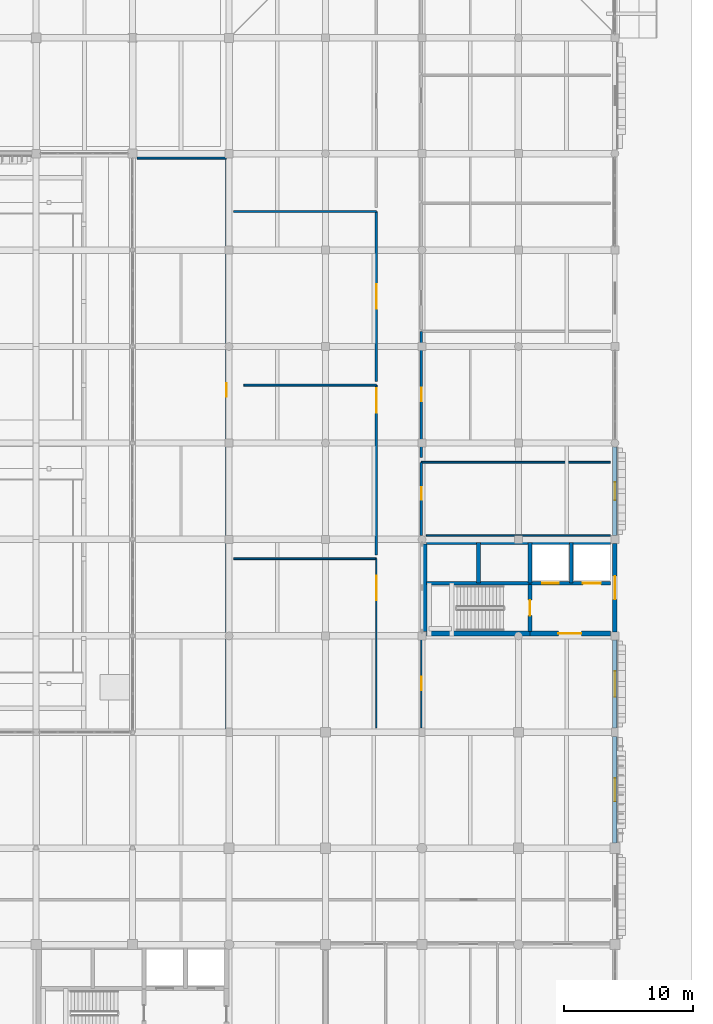
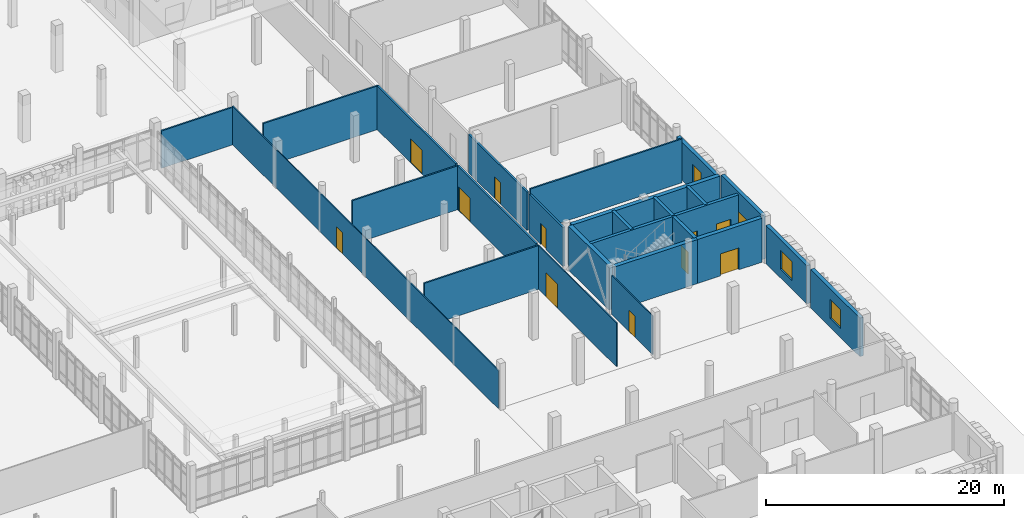
# One storey, part 98 of 125: 27 walls, 12 doors, 3 windows, 15 openings.
"""IFC4 building model written with IfcOpenShell, lengths in metres."""

from ifc_helpers import new_model, si_unit, direction, frame, frame_2d, origin, place, context, subcontext, project, spatial, rectangle, extrude, material, layer, layer_set, type_object, element, fill, save


model = new_model("IFC4")

# Units and contexts
model_context = context("Model", 3, precision=1e-05, world=origin(), true_north=direction((0.0, 1.0)))
body_context = subcontext(model_context, "Body", "Model", "MODEL_VIEW")
ifc_project = project(units=[si_unit("LENGTHUNIT", "METRE"), si_unit("AREAUNIT", "SQUARE_METRE"), si_unit("VOLUMEUNIT", "CUBIC_METRE"), si_unit("PLANEANGLEUNIT", "RADIAN"), si_unit("MASSUNIT", "GRAM", prefix="KILO")], contexts=[model_context])

# Site, building, storey
site_placement = place(None, origin())
site = spatial("IfcSite", under=ifc_project, at=site_placement, CompositionType="ELEMENT")
building_placement = place(site_placement, origin())
building = spatial("IfcBuilding", under=site, at=building_placement, Name="Dalvernix Boulevard General Hospital", CompositionType="ELEMENT")
storey_placement = place(building_placement, origin())
storey = spatial("IfcBuildingStorey", under=building, at=storey_placement, Name="L00", CompositionType="ELEMENT", Elevation=0.0)

# Wall
ifc_material_1 = material(Name="Concrete C40/50", Category="concrete")
ifc_layer_1 = layer(ifc_material_1, 0.39990234375)
ifc_layer_set_1 = layer_set([ifc_layer_1], Name="Concrete C40/50 (WAL-CSW-01)")
wall_type_1 = type_object("IfcWallType", Name="WAL-CSW-01", PredefinedType="SHEAR", material=ifc_layer_set_1)
wall_1_placement = place(storey_placement, frame((157.85009765625, 39.199951171875, 0.0), z_axis=(0.0, 0.0, 1.0), x_axis=(1.0, 0.0, 0.0)))
element("IfcWall", 1, at=wall_1_placement, inside=storey, type_object=wall_type_1, Name="L00 C6 south stairwell wall", PredefinedType="SHEAR", context=body_context, shape_type="SweptSolid", body=[
    extrude(rectangle(XDim=8.0498046875, YDim=0.39990234375, at=frame_2d((4.02490234375, 0.0))), origin(), (0.0, 0.0, 1.0), 4.5),
])

# Wall, opening, door
wall_2_placement = place(storey_placement, frame((165.89990234375, 39.199951171875, 0.0), z_axis=(0.0, 0.0, 1.0), x_axis=(1.0, 0.0, 0.0)))
wall_2 = element("IfcWall", 2, at=wall_2_placement, inside=storey, type_object=wall_type_1, Name="L00 C6 south firefighting lobby wall", PredefinedType="SHEAR", context=body_context, shape_type="SweptSolid", body=[
    extrude(rectangle(XDim=6.25, YDim=0.39990234375, at=frame_2d((3.125, 0.0))), origin(), (0.0, 0.0, 1.0), 4.5),
])
opening_1_placement = place(wall_2_placement, frame((2.199951171875, 0.0, 0.0)))
opening_1 = element("IfcOpeningElement", 3, at=opening_1_placement, cuts=wall_2, Name="Opening FD-01", PredefinedType="OPENING", context=body_context, shape_type="SweptSolid", body=[
    extrude(rectangle(XDim=1.800048828125, YDim=2.25, at=frame_2d((0.89990234375, 1.125))), frame((0.0, 0.2099609375, 0.0), z_axis=(0.0, -1.0, 0.0), x_axis=(1.0, 0.0, 0.0)), (0.0, 0.0, 1.0), 0.419921875),
])
ifc_material_2 = material(Name="Hospital laminate acoustic timber and steel frame", Category="steel")
door_type_1 = type_object("IfcDoorType", Name="DR-FD-01", OperationType="DOUBLE_DOOR_SINGLE_SWING", PredefinedType="DOOR", material=ifc_material_2)
door_1_placement = place(opening_1_placement, origin())
door_1 = element("IfcDoor", 4, at=door_1_placement, inside=storey, type_object=door_type_1, Name="L00 C6 firefighting lobby door", OperationType="DOUBLE_DOOR_SINGLE_SWING", OverallHeight=2.25, OverallWidth=1.800048828125, PredefinedType="DOOR", context=body_context, shape_type="SweptSolid", body=[
    extrude(rectangle(XDim=1.800048828125, YDim=2.25, at=frame_2d((0.89990234375, 1.125))), frame((0.0, 0.02490234375, 0.0), z_axis=(0.0, -1.0, 0.0), x_axis=(1.0, 0.0, 0.0)), (0.0, 0.0, 1.0), 0.050048828125),
])
fill(opening_1, door_1)

# Walls
wall_3_placement = place(storey_placement, frame((157.85009765625, 46.300048828125, 0.0), z_axis=(0.0, 0.0, 1.0), x_axis=(1.0, 0.0, 0.0)))
element("IfcWall", 5, at=wall_3_placement, inside=storey, type_object=wall_type_1, Name="L00 C6 north shaft core wall", PredefinedType="SHEAR", context=body_context, shape_type="SweptSolid", body=[
    extrude(rectangle(XDim=14.2998046875, YDim=0.39990234375, at=frame_2d((7.14990234375, 0.0))), origin(), (0.0, 0.0, 1.0), 4.5),
])
wall_4_placement = place(storey_placement, frame((157.699951171875, 39.35009765625, 0.0), z_axis=(0.0, 0.0, 1.0), x_axis=(0.0, 1.0, 0.0)))
element("IfcWall", 6, at=wall_4_placement, inside=storey, type_object=wall_type_1, Name="L00 C6 west core wall", PredefinedType="SHEAR", context=body_context, shape_type="SweptSolid", body=[
    extrude(rectangle(XDim=6.7998046875, YDim=0.39990234375, at=frame_2d((3.39990234375, 0.0))), origin(), (0.0, 0.0, 1.0), 4.5),
])
ifc_layer_2 = layer(ifc_material_1, 0.300048828125)
ifc_layer_set_2 = layer_set([ifc_layer_2], Name="Concrete C40/50 (WAL-CSW-02)")
wall_type_2 = type_object("IfcWallType", Name="WAL-CSW-02", PredefinedType="SHEAR", material=ifc_layer_set_2)
wall_5_placement = place(storey_placement, frame((157.85009765625, 43.10009765625, 0.0), z_axis=(0.0, 0.0, 1.0), x_axis=(1.0, 0.0, 0.0)))
element("IfcWall", 7, at=wall_5_placement, inside=storey, type_object=wall_type_2, Name="L00 C6 riser spine wall", PredefinedType="SHEAR", context=body_context, shape_type="SweptSolid", body=[
    extrude(rectangle(XDim=8.0498046875, YDim=0.300048828125, at=frame_2d((4.02490234375, 0.0))), origin(), (0.0, 0.0, 1.0), 4.5),
])

# Wall, openings, doors
wall_6_placement = place(storey_placement, frame((165.89990234375, 43.10009765625, 0.0), z_axis=(0.0, 0.0, 1.0), x_axis=(1.0, 0.0, 0.0)))
wall_6 = element("IfcWall", 8, at=wall_6_placement, inside=storey, type_object=wall_type_2, Name="L00 C6 lift shaft front wall", PredefinedType="SHEAR", context=body_context, shape_type="SweptSolid", body=[
    extrude(rectangle(XDim=6.25, YDim=0.300048828125, at=frame_2d((3.125, 0.0))), origin(), (0.0, 0.0, 1.0), 4.5),
])
opening_2_placement = place(wall_6_placement, frame((0.949951171875, 0.0, 0.0)))
opening_2 = element("IfcOpeningElement", 9, at=opening_2_placement, cuts=wall_6, Name="Opening LD-LF-06-L00", PredefinedType="OPENING", context=body_context, shape_type="SweptSolid", body=[
    extrude(rectangle(XDim=1.300048828125, YDim=2.199951171875, at=frame_2d((0.64990234375, 1.10009765625))), frame((0.0, 0.159912109375, 0.0), z_axis=(0.0, -1.0, 0.0), x_axis=(1.0, 0.0, 0.0)), (0.0, 0.0, 1.0), 0.320068359375),
])
opening_3_placement = place(wall_6_placement, frame((4.10009765625, 0.0, 0.0)))
opening_3 = element("IfcOpeningElement", 10, at=opening_3_placement, cuts=wall_6, Name="Opening LD-GL-02-L00", PredefinedType="OPENING", context=body_context, shape_type="SweptSolid", body=[
    extrude(rectangle(XDim=1.39990234375, YDim=2.25, at=frame_2d((0.699951171875, 1.125))), frame((0.0, 0.159912109375, 0.0), z_axis=(0.0, -1.0, 0.0), x_axis=(1.0, 0.0, 0.0)), (0.0, 0.0, 1.0), 0.320068359375),
])
ifc_material_3 = material(Name="Stainless-clad steel", Category="steel")
door_type_2 = type_object("IfcDoorType", Name="DR-LD-01", OperationType="DOUBLE_DOOR_SLIDING", PredefinedType="DOOR", material=ifc_material_3)
door_2_placement = place(opening_3_placement, origin())
door_2 = element("IfcDoor", 11, at=door_2_placement, inside=storey, type_object=door_type_2, Name="L00 Lift GL-02 sliding landing door", OperationType="DOUBLE_DOOR_SLIDING", OverallHeight=2.25, OverallWidth=1.39990234375, PredefinedType="DOOR", context=body_context, shape_type="SweptSolid", body=[
    extrude(rectangle(XDim=1.39990234375, YDim=2.25, at=frame_2d((0.699951171875, 1.125))), frame((0.0, 0.02490234375, 0.0), z_axis=(0.0, -1.0, 0.0), x_axis=(1.0, 0.0, 0.0)), (0.0, 0.0, 1.0), 0.050048828125),
])
fill(opening_3, door_2)
door_type_3 = type_object("IfcDoorType", Name="DR-LD-02", OperationType="DOUBLE_DOOR_SLIDING", PredefinedType="DOOR", material=ifc_material_3)
door_3_placement = place(opening_2_placement, origin())
door_3 = element("IfcDoor", 12, at=door_3_placement, inside=storey, type_object=door_type_3, Name="L00 Lift LF-06 sliding landing door", OperationType="DOUBLE_DOOR_SLIDING", OverallHeight=2.199951171875, OverallWidth=1.300048828125, PredefinedType="DOOR", context=body_context, shape_type="SweptSolid", body=[
    extrude(rectangle(XDim=1.300048828125, YDim=2.199951171875, at=frame_2d((0.64990234375, 1.10009765625))), frame((0.0, 0.02490234375, 0.0), z_axis=(0.0, -1.0, 0.0), x_axis=(1.0, 0.0, 0.0)), (0.0, 0.0, 1.0), 0.050048828125),
])
fill(opening_2, door_3)

# Wall, opening, door
wall_7_placement = place(storey_placement, frame((165.89990234375, 43.0, 0.0), z_axis=(0.0, 0.0, 1.0), x_axis=(0.0, -1.0, 0.0)))
wall_7 = element("IfcWall", 13, at=wall_7_placement, inside=storey, type_object=wall_type_2, Name="L00 C6 stairwell fire wall", PredefinedType="SHEAR", context=body_context, shape_type="SweptSolid", body=[
    extrude(rectangle(XDim=3.64990234375, YDim=0.300048828125, at=frame_2d((1.824951171875, 0.0))), origin(), (0.0, 0.0, 1.0), 4.5),
])
opening_4_placement = place(wall_7_placement, frame((1.219970703125, 0.0, 0.0)))
opening_4 = element("IfcOpeningElement", 14, at=opening_4_placement, cuts=wall_7, Name="Opening FD-02", PredefinedType="OPENING", context=body_context, shape_type="SweptSolid", body=[
    extrude(rectangle(XDim=1.199951171875, YDim=2.25, at=frame_2d((0.60009765625, 1.125))), frame((0.0, 0.159912109375, 0.0), z_axis=(0.0, -1.0, 0.0), x_axis=(1.0, 0.0, 0.0)), (0.0, 0.0, 1.0), 0.320068359375),
])
door_type_4 = type_object("IfcDoorType", Name="DR-FD-02", OperationType="NOTDEFINED", PredefinedType="DOOR", material=ifc_material_2)
door_4_placement = place(opening_4_placement, origin())
door_4 = element("IfcDoor", 15, at=door_4_placement, inside=storey, type_object=door_type_4, Name="L00 Stair ST-06 fire door", OperationType="SINGLE_SWING_RIGHT", OverallHeight=2.25, OverallWidth=1.199951171875, PredefinedType="DOOR", context=body_context, shape_type="SweptSolid", body=[
    extrude(rectangle(XDim=1.199951171875, YDim=2.25, at=frame_2d((0.60009765625, 1.125))), frame((0.0, 0.02490234375, 0.0), z_axis=(0.0, -1.0, 0.0), x_axis=(1.0, 0.0, 0.0)), (0.0, 0.0, 1.0), 0.050048828125),
])
fill(opening_4, door_4)

# Walls
for number, where, z_axis, x_axis, name in (
    (16, (161.89990234375, 43.10009765625, 0.0), (0.0, 0.0, 1.0), (0.0, 1.0, 0.0), "L00 C6 shaft divider R1"),
    (17, (165.89990234375, 43.10009765625, 0.0), (0.0, 0.0, 1.0), (0.0, 1.0, 0.0), "L00 C6 shaft divider R2"),
    (18, (169.10009765625, 43.10009765625, 0.0), (0.0, 0.0, 1.0), (0.0, 1.0, 0.0), "L00 C6 shaft divider L1"),
):
    element("IfcWall", number, at=place(storey_placement, frame(where, z_axis=z_axis, x_axis=x_axis)), inside=storey, type_object=wall_type_2, Name=name, PredefinedType="SHEAR", context=body_context, shape_type="SweptSolid", body=[
        extrude(rectangle(XDim=3.14990234375, YDim=0.300048828125, at=frame_2d((1.574951171875, 0.0))), origin(), (0.0, 0.0, 1.0), 4.5),
    ])

# Wall, opening, door
ifc_layer_3 = layer(ifc_material_1, 0.35009765625)
ifc_layer_set_3 = layer_set([ifc_layer_3], Name="Concrete C40/50 (WAL-ESW-01)")
wall_type_3 = type_object("IfcWallType", Name="WAL-ESW-01", PredefinedType="SHEAR", material=ifc_layer_set_3)
wall_8_placement = place(storey_placement, frame((172.5, 46.18994140625, 0.0), z_axis=(0.0, 0.0, 1.0), x_axis=(0.0, -1.0, 0.0)))
wall_8 = element("IfcWall", 19, at=wall_8_placement, inside=storey, type_object=wall_type_3, Name="L00 core perimeter shear wall E 23-5", PredefinedType="SHEAR", context=body_context, shape_type="SweptSolid", body=[
    extrude(rectangle(XDim=6.8798828125, YDim=0.35009765625, at=frame_2d((3.43994140625, 0.0))), origin(), (0.0, 0.0, 1.0), 4.5),
])
opening_5_placement = place(wall_8_placement, frame((2.5400390625, 0.0, 0.0)))
opening_5 = element("IfcOpeningElement", 20, at=opening_5_placement, cuts=wall_8, Name="Opening ED-18", PredefinedType="OPENING", context=body_context, shape_type="SweptSolid", body=[
    extrude(rectangle(XDim=1.800048828125, YDim=2.5, at=frame_2d((0.89990234375, 1.25))), frame((0.0, 0.18505859375, 0.0), z_axis=(0.0, -1.0, 0.0), x_axis=(1.0, 0.0, 0.0)), (0.0, 0.0, 1.0), 0.3701171875),
])
ifc_material_4 = material(Name="Galvanized painted steel", Category="steel")
door_type_5 = type_object("IfcDoorType", Name="DR-ED-18", OperationType="DOUBLE_DOOR_SINGLE_SWING", PredefinedType="DOOR", material=ifc_material_4)
door_5_placement = place(opening_5_placement, origin())
door_5 = element("IfcDoor", 21, at=door_5_placement, inside=storey, type_object=door_type_5, Name="Final Exit Door ED-L00-06 (Core C6)", OperationType="DOUBLE_DOOR_SINGLE_SWING", OverallHeight=2.5, OverallWidth=1.800048828125, PredefinedType="DOOR", context=body_context, shape_type="SweptSolid", body=[
    extrude(rectangle(XDim=1.800048828125, YDim=2.5, at=frame_2d((0.89990234375, 1.25))), frame((0.0, 0.02490234375, 0.0), z_axis=(0.0, -1.0, 0.0), x_axis=(1.0, 0.0, 0.0)), (0.0, 0.0, 1.0), 0.050048828125),
])
fill(opening_5, door_5)

# Wall, opening, window
ifc_material_5 = material(Name="Pressed Catalan clay brick and insulated concrete cavity wall C35/45", Category="masonry")
ifc_layer_4 = layer(ifc_material_5, 0.35009765625)
ifc_layer_set_4 = layer_set([ifc_layer_4], Name="Pressed Catalan clay brick and insulated concrete cavity wall C35/45 (WAL-EW-01)")
wall_type_4 = type_object("IfcWallType", Name="WAL-EW-01", PredefinedType="STANDARD", material=ifc_layer_set_4)
wall_9_placement = place(storey_placement, frame((172.5, 31.1650390625, 0.0), z_axis=(0.0, 0.0, 1.0), x_axis=(0.0, -1.0, 0.0)))
wall_9 = element("IfcWall", 22, at=wall_9_placement, inside=storey, type_object=wall_type_4, Name="L00 Catalan brick external wall E 23-3", PredefinedType="STANDARD", context=body_context, shape_type="SweptSolid", body=[
    extrude(rectangle(XDim=8.255126953125, YDim=0.35009765625, at=frame_2d((4.12744140625, 0.0))), origin(), (0.0, 0.0, 1.0), 3.949951171875),
])
opening_6_placement = place(wall_9_placement, frame((3.2275390625, 0.0, 0.89990234375)))
opening_6 = element("IfcOpeningElement", 23, at=opening_6_placement, cuts=wall_9, Name="Opening WN-11", PredefinedType="OPENING", context=body_context, shape_type="SweptSolid", body=[
    extrude(rectangle(XDim=1.800048828125, YDim=1.949951171875, at=frame_2d((0.89990234375, 0.97509765625))), frame((0.0, 0.18505859375, 0.0), z_axis=(0.0, -1.0, 0.0), x_axis=(1.0, 0.0, 0.0)), (0.0, 0.0, 1.0), 0.3701171875),
])
ifc_material_6 = material(Name="Thermally broken aluminium frame with solar-control double glazing", Category="aluminium")
window_type_1 = type_object("IfcWindowType", Name="WIN-WN-11", PartitioningType="SINGLE_PANEL", PredefinedType="WINDOW", material=ifc_material_6)
window_1_placement = place(opening_6_placement, origin())
window_1 = element("IfcWindow", 24, at=window_1_placement, inside=storey, type_object=window_type_1, Name="L00 clinical window WN-11 E 23-3", OverallHeight=1.949951171875, OverallWidth=1.800048828125, PartitioningType="SINGLE_PANEL", PredefinedType="WINDOW", context=body_context, shape_type="SweptSolid", body=[
    extrude(rectangle(XDim=1.800048828125, YDim=1.949951171875, at=frame_2d((0.89990234375, 0.97509765625))), frame((0.0, 0.030029296875, 0.0), z_axis=(0.0, -1.0, 0.0), x_axis=(1.0, 0.0, 0.0)), (0.0, 0.0, 1.0), 0.06005859375),
])
fill(opening_6, window_1)

wall_10_placement = place(storey_placement, frame((172.5, 38.68994140625, 0.0), z_axis=(0.0, 0.0, 1.0), x_axis=(0.0, -1.0, 0.0)))
wall_10 = element("IfcWall", 25, at=wall_10_placement, inside=storey, type_object=wall_type_4, Name="L00 Catalan brick external wall E 23-4", PredefinedType="STANDARD", context=body_context, shape_type="SweptSolid", body=[
    extrude(rectangle(XDim=6.85498046875, YDim=0.35009765625, at=frame_2d((3.427490234375, 0.0))), origin(), (0.0, 0.0, 1.0), 3.89990234375),
])
opening_7_placement = place(wall_10_placement, frame((2.427490234375, 0.0, 0.89990234375)))
opening_7 = element("IfcOpeningElement", 26, at=opening_7_placement, cuts=wall_10, Name="Opening WN-12", PredefinedType="OPENING", context=body_context, shape_type="SweptSolid", body=[
    extrude(rectangle(XDim=2.0, YDim=1.949951171875, at=frame_2d((1.0, 0.97509765625))), frame((0.0, 0.18505859375, 0.0), z_axis=(0.0, -1.0, 0.0), x_axis=(1.0, 0.0, 0.0)), (0.0, 0.0, 1.0), 0.3701171875),
])
window_type_2 = type_object("IfcWindowType", Name="WIN-WN-12", PartitioningType="SINGLE_PANEL", PredefinedType="WINDOW", material=ifc_material_6)
window_2_placement = place(opening_7_placement, origin())
window_2 = element("IfcWindow", 27, at=window_2_placement, inside=storey, type_object=window_type_2, Name="L00 clinical window WN-12 E 23-4", OverallHeight=1.949951171875, OverallWidth=2.0, PartitioningType="SINGLE_PANEL", PredefinedType="WINDOW", context=body_context, shape_type="SweptSolid", body=[
    extrude(rectangle(XDim=2.0, YDim=1.949951171875, at=frame_2d((1.0, 0.97509765625))), frame((0.0, 0.030029296875, 0.0), z_axis=(0.0, -1.0, 0.0), x_axis=(1.0, 0.0, 0.0)), (0.0, 0.0, 1.0), 0.06005859375),
])
fill(opening_7, window_2)

wall_11_placement = place(storey_placement, frame((172.5, 53.68994140625, 0.0), z_axis=(0.0, 0.0, 1.0), x_axis=(0.0, -1.0, 0.0)))
wall_11 = element("IfcWall", 28, at=wall_11_placement, inside=storey, type_object=wall_type_4, Name="L00 Catalan brick external wall E 23-6", PredefinedType="STANDARD", context=body_context, shape_type="SweptSolid", body=[
    extrude(rectangle(XDim=6.8798828125, YDim=0.35009765625, at=frame_2d((3.43994140625, 0.0))), origin(), (0.0, 0.0, 1.0), 3.89990234375),
])
opening_8_placement = place(wall_11_placement, frame((2.739990234375, 0.0, 0.89990234375)))
opening_8 = element("IfcOpeningElement", 29, at=opening_8_placement, cuts=wall_11, Name="Opening WN-14", PredefinedType="OPENING", context=body_context, shape_type="SweptSolid", body=[
    extrude(rectangle(XDim=1.39990234375, YDim=1.800048828125, at=frame_2d((0.699951171875, 0.89990234375))), frame((0.0, 0.18505859375, 0.0), z_axis=(0.0, -1.0, 0.0), x_axis=(1.0, 0.0, 0.0)), (0.0, 0.0, 1.0), 0.3701171875),
])
window_type_3 = type_object("IfcWindowType", Name="WIN-WN-14", PartitioningType="SINGLE_PANEL", PredefinedType="WINDOW", material=ifc_material_6)
window_3_placement = place(opening_8_placement, origin())
window_3 = element("IfcWindow", 30, at=window_3_placement, inside=storey, type_object=window_type_3, Name="L00 clinical window WN-14 E 23-6", OverallHeight=1.800048828125, OverallWidth=1.39990234375, PartitioningType="SINGLE_PANEL", PredefinedType="WINDOW", context=body_context, shape_type="SweptSolid", body=[
    extrude(rectangle(XDim=1.39990234375, YDim=1.800048828125, at=frame_2d((0.699951171875, 0.89990234375))), frame((0.0, 0.030029296875, 0.0), z_axis=(0.0, -1.0, 0.0), x_axis=(1.0, 0.0, 0.0)), (0.0, 0.0, 1.0), 0.06005859375),
])
fill(opening_8, window_3)

# Wall, opening, door
ifc_material_7 = material(Name="Fire-compartment corridor masonry wall", Category="masonry")
ifc_layer_5 = layer(ifc_material_7, 0.199951171875)
ifc_layer_set_5 = layer_set([ifc_layer_5], Name="Fire-compartment corridor masonry wall (WAL-IW-02)")
wall_type_5 = type_object("IfcWallType", Name="WAL-IW-02", PredefinedType="STANDARD", material=ifc_layer_set_5)
wall_12_placement = place(storey_placement, frame((157.449951171875, 52.5, 0.0), z_axis=(0.0, 0.0, 1.0), x_axis=(0.0, -1.0, 0.0)))
wall_12 = element("IfcWall", 31, at=wall_12_placement, inside=storey, type_object=wall_type_5, Name="L00 Accessible Public WC L00 East corridor wall", PredefinedType="STANDARD", context=body_context, shape_type="SweptSolid", body=[
    extrude(rectangle(XDim=5.699951171875, YDim=0.199951171875, at=frame_2d((2.85009765625, 0.0))), origin(), (0.0, 0.0, 1.0), 3.985107421875),
])
opening_9_placement = place(wall_12_placement, frame((1.949951171875, 0.0, 0.0)))
opening_9 = element("IfcOpeningElement", 32, at=opening_9_placement, cuts=wall_12, Name="Opening ID-06", PredefinedType="OPENING", context=body_context, shape_type="SweptSolid", body=[
    extrude(rectangle(XDim=0.949951171875, YDim=2.14990234375, at=frame_2d((0.47509765625, 1.074951171875))), frame((0.0, 0.10986328125, 0.0), z_axis=(0.0, -1.0, 0.0), x_axis=(1.0, 0.0, 0.0)), (0.0, 0.0, 1.0), 0.219970703125),
])
door_type_6 = type_object("IfcDoorType", Name="DR-ID-06", OperationType="NOTDEFINED", PredefinedType="DOOR", material=ifc_material_2)
door_6_placement = place(opening_9_placement, origin())
door_6 = element("IfcDoor", 33, at=door_6_placement, inside=storey, type_object=door_type_6, Name="L00 Accessible Public WC L00 East door", OperationType="SINGLE_SWING_LEFT", OverallHeight=2.14990234375, OverallWidth=0.949951171875, PredefinedType="DOOR", context=body_context, shape_type="SweptSolid", body=[
    extrude(rectangle(XDim=0.949951171875, YDim=2.14990234375, at=frame_2d((0.47509765625, 1.074951171875))), frame((0.0, 0.02490234375, 0.0), z_axis=(0.0, -1.0, 0.0), x_axis=(1.0, 0.0, 0.0)), (0.0, 0.0, 1.0), 0.050048828125),
])
fill(opening_9, door_6)

ifc_material_8 = material(Name="Lead-lined diagnostic radiology partition")
ifc_layer_6 = layer(ifc_material_8, 0.179931640625)
ifc_layer_set_6 = layer_set([ifc_layer_6], Name="Lead-lined diagnostic radiology partition (WAL-IW-03)")
wall_type_6 = type_object("IfcWallType", Name="WAL-IW-03", PredefinedType="PARTITIONING", material=ifc_layer_set_6)
wall_13_placement = place(storey_placement, frame((153.949951171875, 45.300048828125, 0.0), z_axis=(0.0, 0.0, 1.0), x_axis=(0.0, 1.0, 0.0)))
wall_13 = element("IfcWall", 34, at=wall_13_placement, inside=storey, type_object=wall_type_6, Name="L00 Diagnostic Radiology 3T MRI Suite corridor wall", PredefinedType="PARTITIONING", context=body_context, shape_type="SweptSolid", body=[
    extrude(rectangle(XDim=13.199951171875, YDim=0.179931640625, at=frame_2d((6.60009765625, 0.0))), origin(), (0.0, 0.0, 1.0), 4.485107421875),
])
opening_10_placement = place(wall_13_placement, frame((11.050048828125, 0.0, 0.0)))
opening_10 = element("IfcOpeningElement", 35, at=opening_10_placement, cuts=wall_13, Name="Opening ID-10", PredefinedType="OPENING", context=body_context, shape_type="SweptSolid", body=[
    extrude(rectangle(XDim=1.89990234375, YDim=2.449951171875, at=frame_2d((0.949951171875, 1.22509765625))), frame((0.0, 0.099853515625, 0.0), z_axis=(0.0, -1.0, 0.0), x_axis=(1.0, 0.0, 0.0)), (0.0, 0.0, 1.0), 0.199951171875),
])
door_type_7 = type_object("IfcDoorType", Name="DR-ID-10", OperationType="DOUBLE_DOOR_SLIDING", PredefinedType="DOOR", material=ifc_material_2)
door_7_placement = place(opening_10_placement, origin())
door_7 = element("IfcDoor", 36, at=door_7_placement, inside=storey, type_object=door_type_7, Name="L00 Diagnostic Radiology 3T MRI Suite door", OperationType="DOUBLE_DOOR_SLIDING", OverallHeight=2.449951171875, OverallWidth=1.89990234375, PredefinedType="DOOR", context=body_context, shape_type="SweptSolid", body=[
    extrude(rectangle(XDim=1.89990234375, YDim=2.449951171875, at=frame_2d((0.949951171875, 1.22509765625))), frame((0.0, 0.02490234375, 0.0), z_axis=(0.0, -1.0, 0.0), x_axis=(1.0, 0.0, 0.0)), (0.0, 0.0, 1.0), 0.050048828125),
])
fill(opening_10, door_7)

wall_14_placement = place(storey_placement, frame((153.949951171875, 58.800048828125, 0.0), z_axis=(0.0, 0.0, 1.0), x_axis=(0.0, 1.0, 0.0)))
wall_14 = element("IfcWall", 37, at=wall_14_placement, inside=storey, type_object=wall_type_6, Name="L00 Dual-Source CT Scan and X-Ray Suite corridor wall", PredefinedType="PARTITIONING", context=body_context, shape_type="SweptSolid", body=[
    extrude(rectangle(XDim=13.199951171875, YDim=0.179931640625, at=frame_2d((6.60009765625, 0.0))), origin(), (0.0, 0.0, 1.0), 4.485107421875),
])
opening_11_placement = place(wall_14_placement, frame((5.64990234375, 0.0, 0.0)))
opening_11 = element("IfcOpeningElement", 38, at=opening_11_placement, cuts=wall_14, Name="Opening ID-10", PredefinedType="OPENING", context=body_context, shape_type="SweptSolid", body=[
    extrude(rectangle(XDim=1.89990234375, YDim=2.449951171875, at=frame_2d((0.949951171875, 1.22509765625))), frame((0.0, 0.099853515625, 0.0), z_axis=(0.0, -1.0, 0.0), x_axis=(1.0, 0.0, 0.0)), (0.0, 0.0, 1.0), 0.199951171875),
])
door_8_placement = place(opening_11_placement, origin())
door_8 = element("IfcDoor", 39, at=door_8_placement, inside=storey, type_object=door_type_7, Name="L00 Dual-Source CT Scan and X-Ray Suite door", OperationType="DOUBLE_DOOR_SLIDING", OverallHeight=2.449951171875, OverallWidth=1.89990234375, PredefinedType="DOOR", context=body_context, shape_type="SweptSolid", body=[
    extrude(rectangle(XDim=1.89990234375, YDim=2.449951171875, at=frame_2d((0.949951171875, 1.22509765625))), frame((0.0, 0.02490234375, 0.0), z_axis=(0.0, -1.0, 0.0), x_axis=(1.0, 0.0, 0.0)), (0.0, 0.0, 1.0), 0.050048828125),
])
fill(opening_11, door_8)

wall_15_placement = place(storey_placement, frame((157.449951171875, 62.6826171875, 0.0), z_axis=(0.0, 0.0, 1.0), x_axis=(0.0, -1.0, 0.0)))
wall_15 = element("IfcWall", 40, at=wall_15_placement, inside=storey, type_object=wall_type_6, Name="L00 Diagnostic Imaging Room L00-1 corridor wall", PredefinedType="PARTITIONING", context=body_context, shape_type="SweptSolid", body=[
    extrude(rectangle(XDim=9.802734375, YDim=0.179931640625, at=frame_2d((4.9013671875, 0.0))), origin(), (0.0, 0.0, 1.0), 3.93505859375),
])
opening_12_placement = place(wall_15_placement, frame((4.376220703125, 0.0, 0.0)))
opening_12 = element("IfcOpeningElement", 41, at=opening_12_placement, cuts=wall_15, Name="Opening ID-07", PredefinedType="OPENING", context=body_context, shape_type="SweptSolid", body=[
    extrude(rectangle(XDim=1.050048828125, YDim=2.199951171875, at=frame_2d((0.52490234375, 1.10009765625))), frame((0.0, 0.099853515625, 0.0), z_axis=(0.0, -1.0, 0.0), x_axis=(1.0, 0.0, 0.0)), (0.0, 0.0, 1.0), 0.199951171875),
])
door_type_8 = type_object("IfcDoorType", Name="DR-ID-07", OperationType="NOTDEFINED", PredefinedType="DOOR", material=ifc_material_2)
door_9_placement = place(opening_12_placement, origin())
door_9 = element("IfcDoor", 42, at=door_9_placement, inside=storey, type_object=door_type_8, Name="L00 Diagnostic Imaging Room L00-1 door", OperationType="SINGLE_SWING_RIGHT", OverallHeight=2.199951171875, OverallWidth=1.050048828125, PredefinedType="DOOR", context=body_context, shape_type="SweptSolid", body=[
    extrude(rectangle(XDim=1.050048828125, YDim=2.199951171875, at=frame_2d((0.52490234375, 1.10009765625))), frame((0.0, 0.02490234375, 0.0), z_axis=(0.0, -1.0, 0.0), x_axis=(1.0, 0.0, 0.0)), (0.0, 0.0, 1.0), 0.050048828125),
])
fill(opening_12, door_9)

# Walls
ifc_material_9 = material(Name="Acoustic double-stud gypsum inpatient partition")
ifc_layer_7 = layer(ifc_material_9, 0.14990234375)
ifc_layer_set_7 = layer_set([ifc_layer_7], Name="Acoustic double-stud gypsum inpatient partition (WAL-IW-04)")
wall_type_7 = type_object("IfcWallType", Name="WAL-IW-04", PredefinedType="PARTITIONING", material=ifc_layer_set_7)
wall_16_placement = place(storey_placement, frame((135.35009765625, 76.14990234375, 0.0), z_axis=(0.0, 0.0, 1.0), x_axis=(1.0, 0.0, 0.0)))
element("IfcWall", 43, at=wall_16_placement, inside=storey, type_object=wall_type_7, Name="L00 L00 East Cloister Colonnade Loggia partition", PredefinedType="PARTITIONING", context=body_context, shape_type="SweptSolid", body=[
    extrude(rectangle(XDim=6.949951171875, YDim=0.14990234375, at=frame_2d((3.47509765625, 0.0))), origin(), (0.0, 0.0, 1.0), 3.8349609375),
])
wall_17_placement = place(storey_placement, frame((142.85009765625, 45.0, 0.0), z_axis=(0.0, 0.0, 1.0), x_axis=(1.0, 0.0, 0.0)))
element("IfcWall", 44, at=wall_17_placement, inside=storey, type_object=wall_type_7, Name="L00 Emergency Resuscitation and Trauma Bay partition", PredefinedType="PARTITIONING", context=body_context, shape_type="SweptSolid", body=[
    extrude(rectangle(XDim=11.099853515625, YDim=0.14990234375, at=frame_2d((5.5498046875, 0.0))), origin(), (0.0, 0.0, 1.0), 4.485107421875),
])
wall_18_placement = place(storey_placement, frame((143.64990234375, 58.5, 0.0), z_axis=(0.0, 0.0, 1.0), x_axis=(1.0, 0.0, 0.0)))
element("IfcWall", 45, at=wall_18_placement, inside=storey, type_object=wall_type_7, Name="L00 Diagnostic Radiology 3T MRI Suite partition", PredefinedType="PARTITIONING", context=body_context, shape_type="SweptSolid", body=[
    extrude(rectangle(XDim=10.300048828125, YDim=0.14990234375, at=frame_2d((5.14990234375, 0.0))), origin(), (0.0, 0.0, 1.0), 4.485107421875),
])
wall_19_placement = place(storey_placement, frame((142.85009765625, 72.0, 0.0), z_axis=(0.0, 0.0, 1.0), x_axis=(1.0, 0.0, 0.0)))
element("IfcWall", 46, at=wall_19_placement, inside=storey, type_object=wall_type_7, Name="L00 Dual-Source CT Scan and X-Ray Suite partition", PredefinedType="PARTITIONING", context=body_context, shape_type="SweptSolid", body=[
    extrude(rectangle(XDim=11.099853515625, YDim=0.14990234375, at=frame_2d((5.5498046875, 0.0))), origin(), (0.0, 0.0, 1.0), 4.485107421875),
])
wall_20_placement = place(storey_placement, frame((157.449951171875, 52.5, 0.0), z_axis=(0.0, 0.0, 1.0), x_axis=(1.0, 0.0, 0.0)))
element("IfcWall", 47, at=wall_20_placement, inside=storey, type_object=wall_type_7, Name="L00 Accessible Public WC L00 East partition", PredefinedType="PARTITIONING", context=body_context, shape_type="SweptSolid", body=[
    extrude(rectangle(XDim=14.699951171875, YDim=0.14990234375, at=frame_2d((7.35009765625, 0.0))), origin(), (0.0, 0.0, 1.0), 4.485107421875),
])
ifc_material_10 = material(Name="Moisture-resistant en-suite bathroom partition")
ifc_layer_8 = layer(ifc_material_10, 0.1201171875)
ifc_layer_set_8 = layer_set([ifc_layer_8], Name="Moisture-resistant en-suite bathroom partition (WAL-IW-05)")
wall_type_8 = type_object("IfcWallType", Name="WAL-IW-05", PredefinedType="PARTITIONING", material=ifc_layer_set_8)
wall_21_placement = place(storey_placement, frame((157.85009765625, 46.800048828125, 0.0), z_axis=(0.0, 0.0, 1.0), x_axis=(1.0, 0.0, 0.0)))
element("IfcWall", 48, at=wall_21_placement, inside=storey, type_object=wall_type_8, Name="L00 Accessible Public WC L00 East enclosure wall S", PredefinedType="PARTITIONING", context=body_context, shape_type="SweptSolid", body=[
    extrude(rectangle(XDim=14.2998046875, YDim=0.1201171875, at=frame_2d((7.14990234375, 0.0))), origin(), (0.0, 0.0, 1.0), 3.8349609375),
])

# Wall, opening, door
ifc_material_11 = material(Name="Fire-resisting clinical sub-partition")
ifc_layer_9 = layer(ifc_material_11, 0.10009765625)
ifc_layer_set_9 = layer_set([ifc_layer_9], Name="Fire-resisting clinical sub-partition (WAL-IW-06)")
wall_type_9 = type_object("IfcWallType", Name="WAL-IW-06", PredefinedType="PARTITIONING", material=ifc_layer_set_9)
wall_22_placement = place(storey_placement, frame((142.300048828125, 31.5, 0.0), z_axis=(0.0, 0.0, 1.0), x_axis=(0.0, 1.0, 0.0)))
wall_22 = element("IfcWall", 49, at=wall_22_placement, inside=storey, type_object=wall_type_9, Name="L00 L00 East Cloister Colonnade Loggia corridor wall", PredefinedType="PARTITIONING", context=body_context, shape_type="SweptSolid", body=[
    extrude(rectangle(XDim=44.64990234375, YDim=0.10009765625, at=frame_2d((22.324951171875, 0.0))), origin(), (0.0, 0.0, 1.0), 3.93505859375),
])
opening_13_placement = place(wall_22_placement, frame((26.110107421875, 0.0, 0.0)))
opening_13 = element("IfcOpeningElement", 50, at=opening_13_placement, cuts=wall_22, Name="Opening ID-07", PredefinedType="OPENING", context=body_context, shape_type="SweptSolid", body=[
    extrude(rectangle(XDim=1.050048828125, YDim=2.199951171875, at=frame_2d((0.52490234375, 1.10009765625))), frame((0.0, 0.06005859375, 0.0), z_axis=(0.0, -1.0, 0.0), x_axis=(1.0, 0.0, 0.0)), (0.0, 0.0, 1.0), 0.1201171875),
])
door_10_placement = place(opening_13_placement, origin())
door_10 = element("IfcDoor", 51, at=door_10_placement, inside=storey, type_object=door_type_8, Name="L00 L00 East Cloister Colonnade Loggia door", OperationType="SINGLE_SWING_LEFT", OverallHeight=2.199951171875, OverallWidth=1.050048828125, PredefinedType="DOOR", context=body_context, shape_type="SweptSolid", body=[
    extrude(rectangle(XDim=1.050048828125, YDim=2.199951171875, at=frame_2d((0.52490234375, 1.10009765625))), frame((0.0, 0.02490234375, 0.0), z_axis=(0.0, -1.0, 0.0), x_axis=(1.0, 0.0, 0.0)), (0.0, 0.0, 1.0), 0.050048828125),
])
fill(opening_13, door_10)

wall_23_placement = place(storey_placement, frame((153.949951171875, 31.85009765625, 0.0), z_axis=(0.0, 0.0, 1.0), x_axis=(0.0, 1.0, 0.0)))
wall_23 = element("IfcWall", 52, at=wall_23_placement, inside=storey, type_object=wall_type_9, Name="L00 Emergency Resuscitation and Trauma Bay corridor wall", PredefinedType="PARTITIONING", context=body_context, shape_type="SweptSolid", body=[
    extrude(rectangle(XDim=13.14990234375, YDim=0.10009765625, at=frame_2d((6.574951171875, 0.0))), origin(), (0.0, 0.0, 1.0), 4.485107421875),
])
opening_14_placement = place(wall_23_placement, frame((9.925048828125, 0.0, 0.0)))
opening_14 = element("IfcOpeningElement", 53, at=opening_14_placement, cuts=wall_23, Name="Opening ID-10", PredefinedType="OPENING", context=body_context, shape_type="SweptSolid", body=[
    extrude(rectangle(XDim=1.89990234375, YDim=2.449951171875, at=frame_2d((0.949951171875, 1.22509765625))), frame((0.0, 0.06005859375, 0.0), z_axis=(0.0, -1.0, 0.0), x_axis=(1.0, 0.0, 0.0)), (0.0, 0.0, 1.0), 0.1201171875),
])
door_11_placement = place(opening_14_placement, origin())
door_11 = element("IfcDoor", 54, at=door_11_placement, inside=storey, type_object=door_type_7, Name="L00 Emergency Resuscitation and Trauma Bay door", OperationType="DOUBLE_DOOR_SLIDING", OverallHeight=2.449951171875, OverallWidth=1.89990234375, PredefinedType="DOOR", context=body_context, shape_type="SweptSolid", body=[
    extrude(rectangle(XDim=1.89990234375, YDim=2.449951171875, at=frame_2d((0.949951171875, 1.22509765625))), frame((0.0, 0.02490234375, 0.0), z_axis=(0.0, -1.0, 0.0), x_axis=(1.0, 0.0, 0.0)), (0.0, 0.0, 1.0), 0.050048828125),
])
fill(opening_14, door_11)

wall_24_placement = place(storey_placement, frame((157.449951171875, 38.75, 0.0), z_axis=(0.0, 0.0, 1.0), x_axis=(0.0, -1.0, 0.0)))
wall_24 = element("IfcWall", 55, at=wall_24_placement, inside=storey, type_object=wall_type_9, Name="L00 Emergency Ambulance Triage L00 corridor wall", PredefinedType="PARTITIONING", context=body_context, shape_type="SweptSolid", body=[
    extrude(rectangle(XDim=6.89990234375, YDim=0.10009765625, at=frame_2d((3.449951171875, 0.0))), origin(), (0.0, 0.0, 1.0), 3.985107421875),
])
opening_15_placement = place(wall_24_placement, frame((2.925048828125, 0.0, 0.0)))
opening_15 = element("IfcOpeningElement", 56, at=opening_15_placement, cuts=wall_24, Name="Opening ID-07", PredefinedType="OPENING", context=body_context, shape_type="SweptSolid", body=[
    extrude(rectangle(XDim=1.050048828125, YDim=2.199951171875, at=frame_2d((0.52490234375, 1.10009765625))), frame((0.0, 0.06005859375, 0.0), z_axis=(0.0, -1.0, 0.0), x_axis=(1.0, 0.0, 0.0)), (0.0, 0.0, 1.0), 0.1201171875),
])
door_12_placement = place(opening_15_placement, origin())
door_12 = element("IfcDoor", 57, at=door_12_placement, inside=storey, type_object=door_type_8, Name="L00 Emergency Ambulance Triage L00 door", OperationType="SINGLE_SWING_RIGHT", OverallHeight=2.199951171875, OverallWidth=1.050048828125, PredefinedType="DOOR", context=body_context, shape_type="SweptSolid", body=[
    extrude(rectangle(XDim=1.050048828125, YDim=2.199951171875, at=frame_2d((0.52490234375, 1.10009765625))), frame((0.0, 0.02490234375, 0.0), z_axis=(0.0, -1.0, 0.0), x_axis=(1.0, 0.0, 0.0)), (0.0, 0.0, 1.0), 0.050048828125),
])
fill(opening_15, door_12)

save(model, "model.ifc")
